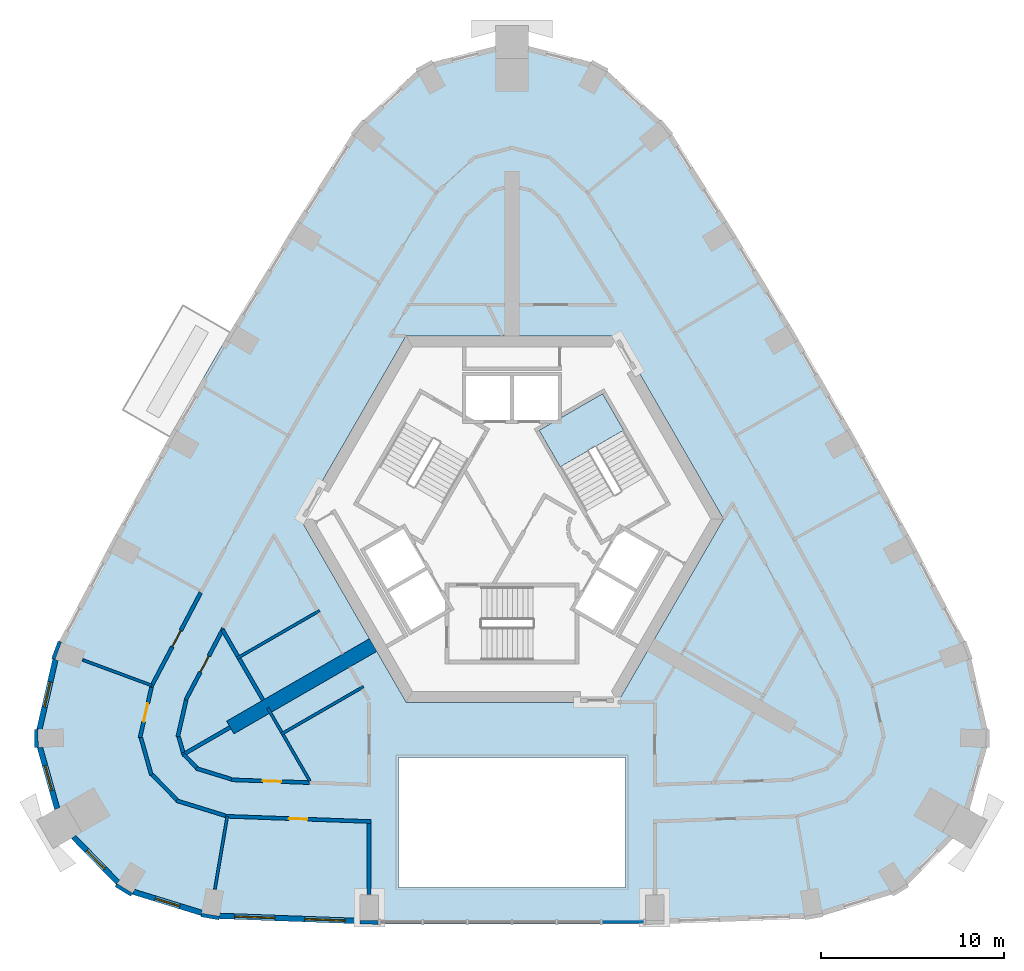
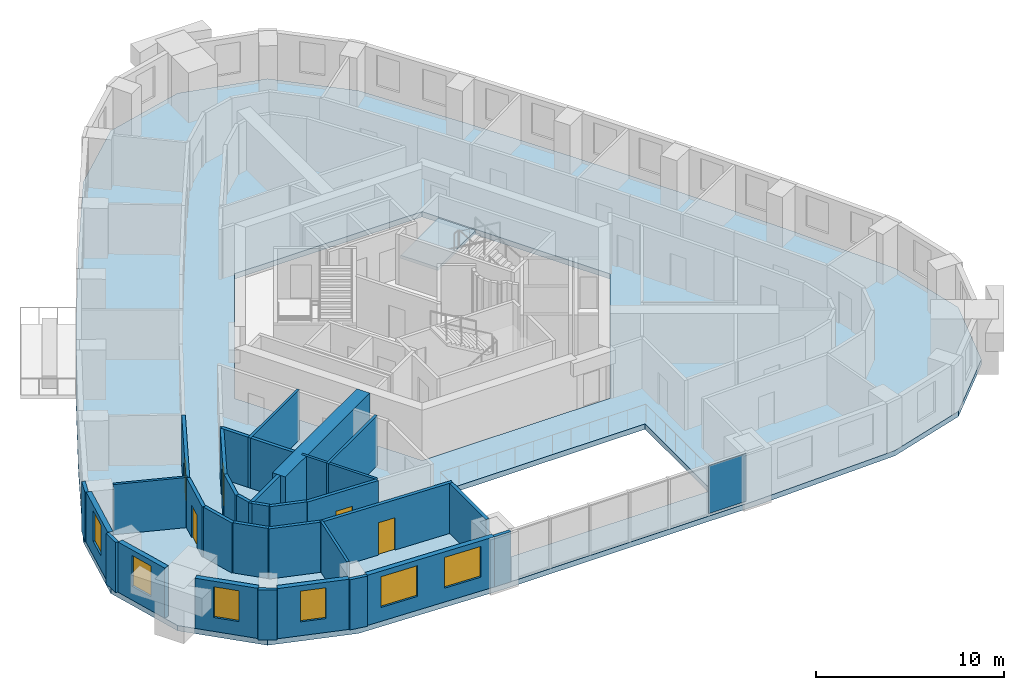
# One storey, part 3 of 11: 33 walls, 6 windows, 5 doors, 2 slabs, 1 plate, 11 openings, 2 elements without a shape of their own.
"""IFC4 building model written with IfcOpenShell, lengths in metres."""

from ifc_helpers import new_model, si_unit, direction, frame, frame_2d, origin, origin_2d, place, context, subcontext, project, spatial, polyline, rectangle, outline, extrude, material, layer, layer_set, type_object, element, fill, aggregate, save


model = new_model("IFC4")

# Units and contexts
model_context = context("Model", 3, precision=1e-05, world=origin(), true_north=direction((0.0, 1.0)))
body_context = subcontext(model_context, "Body", "Model", "MODEL_VIEW")
ifc_project = project(units=[si_unit("LENGTHUNIT", "METRE"), si_unit("AREAUNIT", "SQUARE_METRE"), si_unit("VOLUMEUNIT", "CUBIC_METRE"), si_unit("PLANEANGLEUNIT", "RADIAN"), si_unit("MASSUNIT", "GRAM", prefix="KILO")], contexts=[model_context])

# Site, building, storey
site_placement = place(None, origin())
site = spatial("IfcSite", under=ifc_project, at=site_placement, CompositionType="ELEMENT")
building_placement = place(site_placement, origin())
building = spatial("IfcBuilding", under=site, at=building_placement, Name="Entoto Arch Interchange Tower", CompositionType="ELEMENT")
storey_placement = place(building_placement, frame((0.0, 0.0, 248.60009765625)))
storey = spatial("IfcBuildingStorey", under=building, at=storey_placement, Name="L56", CompositionType="ELEMENT", Elevation=248.60009765625)

# Stair, slab
ifc_material_1 = material(Name="Concrete C40/50", Category="concrete")
stair_type = type_object("IfcStairType", Name="EXIT STAIR RC 1800", PredefinedType="HALF_TURN_STAIR", material=ifc_material_1)
stair_placement = place(storey_placement, origin())
stair = element("IfcStair", 1, at=stair_placement, inside=storey, type_object=stair_type, Name="L56 Exit stair NE", PredefinedType="HALF_TURN_STAIR")
ifc_layer_1 = layer(ifc_material_1, 0.199951171875)
ifc_layer_set_1 = layer_set([ifc_layer_1], Name="Concrete C40/50")
slab_type_1 = type_object("IfcSlabType", Name="EXIT STAIR LANDING RC 200", PredefinedType="LANDING", material=ifc_layer_set_1)
slab_1_placement = place(storey_placement, frame((0.0, 0.0, 1.599853515625)))
slab_1 = element("IfcSlab", 2, at=slab_1_placement, type_object=slab_type_1, Name="ST-NE landing 1", PredefinedType="LANDING", context=body_context, shape_type="SweptSolid", body=[
    extrude(outline(polyline([(6.093505859375, 7.345947265625), (4.943359375, 9.337890625), (1.479248046875, 7.337890625), (2.62939453125, 5.345947265625), (6.093505859375, 7.345947265625)])), origin(), (0.0, 0.0, 1.0), 0.199951171875),
])
aggregate(stair, [slab_1])

# Curtain wall, plate
ifc_material_2 = material(Name="Aluminium, anodised", Category="aluminium")
curtain_wall_type = type_object("IfcCurtainWallType", Name="CURTAIN WALL ATRIUM", PredefinedType="NOTDEFINED", material=ifc_material_2)
curtain_wall_placement = place(storey_placement, origin())
curtain_wall = element("IfcCurtainWall", 3, at=curtain_wall_placement, inside=storey, type_object=curtain_wall_type, Name="Atrium glazing S-02 L56", PredefinedType="NOTDEFINED")
ifc_material_3 = material(Name="Clear glass, low-e double glazed", Category="glass")
ifc_layer_2 = layer(ifc_material_3, 0.031982421875)
ifc_layer_set_2 = layer_set([ifc_layer_2], Name="Clear glass, low-e double glazed")
plate_type = type_object("IfcPlateType", Name="GLAZING PANEL ATRIUM 32", PredefinedType="CURTAIN_PANEL", material=ifc_layer_set_2)
plate_placement = place(storey_placement, frame((6.0576171875, -19.48291015625, 0.079833984375), z_axis=(0.0, 0.0, 1.0), x_axis=(1.0, 0.0, 0.0)))
plate = element("IfcPlate", 4, at=plate_placement, type_object=plate_type, Name="CWA panel 6.1", PredefinedType="CURTAIN_PANEL", context=body_context, shape_type="SweptSolid", body=[
    extrude(rectangle(XDim=2.282958984375, YDim=0.031982421875, at=origin_2d()), origin(), (0.0, 0.0, 1.0), 3.10009765625),
])
aggregate(curtain_wall, [plate])

# Slab
ifc_layer_3 = layer(ifc_material_1, 0.340087890625)
ifc_layer_set_3 = layer_set([ifc_layer_3], Name="Concrete C40/50")
slab_type_2 = type_object("IfcSlabType", Name="Post-tensioned flat plate 340 C40/50", PredefinedType="FLOOR", material=ifc_layer_set_3)
slab_2_placement = place(storey_placement, frame((0.0, 0.0, -0.340087890625)))
element("IfcSlab", 5, at=slab_2_placement, inside=storey, type_object=slab_type_2, Name="Floor slab L56", PredefinedType="FLOOR", context=body_context, shape_type="SweptSolid", body=[
    extrude(outline(polyline([(-16.47998046875, -19.291015625), (-7.800048828125, -19.60791015625), (7.800048828125, -19.60791015625), (16.47998046875, -19.291015625), (21.23388671875, -17.824951171875), (24.70703125, -14.264892578125), (26.053955078125, -9.47607421875), (24.946044921875, -4.626953125), (21.8779296875, 1.2109375), (18.695068359375, 6.986083984375), (15.39794921875, 12.697021484375), (11.988037109375, 18.342041015625), (8.466064453125, 23.91796875), (4.820068359375, 27.302001953125), (0.0, 28.529052734375), (-4.820068359375, 27.302001953125), (-8.466064453125, 23.91796875), (-11.988037109375, 18.342041015625), (-15.39794921875, 12.697021484375), (-18.695068359375, 6.986083984375), (-21.8779296875, 1.2109375), (-24.946044921875, -4.626953125), (-26.053955078125, -9.47607421875), (-24.70703125, -14.264892578125), (-21.23388671875, -17.824951171875), (-16.47998046875, -19.291015625)]), holes=[polyline([(6.199951171875, -17.60791015625), (6.199951171875, -10.5), (-6.199951171875, -10.5), (-6.199951171875, -17.60791015625), (6.199951171875, -17.60791015625)]), polyline([(11.547119140625, 2.5), (5.77392578125, 12.5), (-5.77392578125, 12.5), (-11.547119140625, 2.5), (-5.77392578125, -7.5), (5.77392578125, -7.5), (11.547119140625, 2.5)])]), origin(), (0.0, 0.0, 1.0), 0.340087890625),
])

# Walls
ifc_layer_4 = layer(ifc_material_1, 0.800048828125)
ifc_layer_set_4 = layer_set([ifc_layer_4], Name="Concrete C40/50")
wall_type_1 = type_object("IfcWallType", Name="Buttress wall 800 C40/50", PredefinedType="SHEAR", material=ifc_layer_set_4)
wall_1_placement = place(storey_placement, frame((-7.577880859375, -4.375, -0.340087890625), z_axis=(0.0, 0.0, 1.0), x_axis=(-0.866024315419, -0.5000018851, 0.0)))
element("IfcWall", 6, at=wall_1_placement, inside=storey, type_object=wall_type_1, Name="Buttress wall SW L56", PredefinedType="SHEAR", context=body_context, shape_type="SweptSolid", body=[
    extrude(rectangle(XDim=9.0, YDim=0.800048828125, at=frame_2d((4.5, 0.0))), origin(), (0.0, 0.0, 1.0), 3.60009765625),
])
ifc_material_4 = material(Name="Gypsum board partition on steel studs", Category="steel")
ifc_layer_5 = layer(ifc_material_4, 0.14990234375)
ifc_layer_set_5 = layer_set([ifc_layer_5], Name="Gypsum board partition on steel studs")
wall_type_2 = type_object("IfcWallType", Name="PARTITION 150", PredefinedType="PARTITIONING", material=ifc_layer_set_5)
wall_2_placement = place(storey_placement, frame((-10.506103515625, -2.5029296875, 0.0), z_axis=(0.0, 0.0, 1.0), x_axis=(-0.866044872465, -0.49996627774, 0.0)))
element("IfcWall", 7, at=wall_2_placement, inside=storey, type_object=wall_type_2, Name="wall:L56:p096", PredefinedType="PARTITIONING", context=body_context, shape_type="SweptSolid", body=[
    extrude(rectangle(XDim=5.200439453125, YDim=0.14990234375, at=frame_2d((2.60009765625, 0.0))), origin(), (0.0, 0.0, 1.0), 3.260009765625),
])
wall_3_placement = place(storey_placement, frame((-8.111083984375, -6.65087890625, 0.0), z_axis=(0.0, 0.0, 1.0), x_axis=(-0.865984471925, -0.50007088936, 0.0)))
element("IfcWall", 8, at=wall_3_placement, inside=storey, type_object=wall_type_2, Name="wall:L56:p098", PredefinedType="PARTITIONING", context=body_context, shape_type="SweptSolid", body=[
    extrude(rectangle(XDim=5.175537109375, YDim=0.14990234375, at=frame_2d((2.587890625, 0.0))), origin(), (0.0, 0.0, 1.0), 3.260009765625),
])
wall_4_placement = place(storey_placement, frame((-12.56494140625, -9.135986328125, 0.0), z_axis=(0.0, 0.0, 1.0), x_axis=(-0.500198329269, 0.865910868044, 0.0)))
element("IfcWall", 9, at=wall_4_placement, inside=storey, type_object=wall_type_2, Name="wall:L56:p100", PredefinedType="PARTITIONING", context=body_context, shape_type="SweptSolid", body=[
    extrude(rectangle(XDim=1.539306640625, YDim=0.14990234375, at=frame_2d((0.76953125, 0.0))), origin(), (0.0, 0.0, 1.0), 3.260009765625),
])
wall_5_placement = place(storey_placement, frame((-11.027099609375, -11.800048828125, 0.0), z_axis=(0.0, 0.0, 1.0), x_axis=(-0.499980071345, 0.866036909293, 0.0)))
element("IfcWall", 10, at=wall_5_placement, inside=storey, type_object=wall_type_2, Name="wall:L56:p101", PredefinedType="PARTITIONING", context=body_context, shape_type="SweptSolid", body=[
    extrude(rectangle(XDim=2.92578125, YDim=0.14990234375, at=frame_2d((1.462890625, 0.0))), origin(), (0.0, 0.0, 1.0), 3.260009765625),
])
wall_6_placement = place(storey_placement, frame((-19.64892578125, -6.5859375, 0.0), z_axis=(0.0, 0.0, 1.0), x_axis=(-0.937935790958, 0.346808956114, 0.0)))
element("IfcWall", 11, at=wall_6_placement, inside=storey, type_object=wall_type_2, Name="wall:L56:p113", PredefinedType="PARTITIONING", context=body_context, shape_type="SweptSolid", body=[
    extrude(rectangle(XDim=4.028076171875, YDim=0.14990234375, at=frame_2d((2.01416015625, 0.0))), origin(), (0.0, 0.0, 1.0), 3.260009765625),
])
wall_7_placement = place(storey_placement, frame((-15.537109375, -13.721923828125, 0.0), z_axis=(0.0, 0.0, 1.0), x_axis=(-0.167012380144, -0.985954798598, 0.0)))
element("IfcWall", 12, at=wall_7_placement, inside=storey, type_object=wall_type_2, Name="wall:L56:p114", PredefinedType="PARTITIONING", context=body_context, shape_type="SweptSolid", body=[
    extrude(rectangle(XDim=4.02880859375, YDim=0.14990234375, at=frame_2d((2.014404296875, 0.0))), origin(), (0.0, 0.0, 1.0), 3.260009765625),
])

# Wall, opening, door
ifc_layer_6 = layer(ifc_material_4, 0.199951171875)
ifc_layer_set_6 = layer_set([ifc_layer_6], Name="Gypsum board partition on steel studs")
wall_type_3 = type_object("IfcWallType", Name="PARTITION 200", PredefinedType="PARTITIONING", material=ifc_layer_set_6)
wall_8_placement = place(storey_placement, frame((-15.74609375, -3.4580078125, 0.0), z_axis=(0.0, 0.0, 1.0), x_axis=(-0.465179971699, -0.885216128372, 0.0)))
wall_8 = element("IfcWall", 13, at=wall_8_placement, inside=storey, type_object=wall_type_3, Name="wall:L56:p028", PredefinedType="PARTITIONING", context=body_context, shape_type="SweptSolid", body=[
    extrude(rectangle(XDim=4.423828125, YDim=0.199951171875, at=frame_2d((2.2119140625, 0.0))), origin(), (0.0, 0.0, 1.0), 3.260009765625),
])
opening_1_placement = place(wall_8_placement, frame((1.7119140625, 0.0, 0.0)))
opening_1 = element("IfcOpeningElement", 14, at=opening_1_placement, cuts=wall_8, Name="Opening L56-D22", PredefinedType="OPENING", context=body_context, shape_type="SweptSolid", body=[
    extrude(rectangle(XDim=1.0, YDim=2.10009765625, at=frame_2d((0.5, 1.050048828125))), frame((0.0, 0.10986328125, 0.0), z_axis=(0.0, -1.0, 0.0), x_axis=(1.0, 0.0, 0.0)), (0.0, 0.0, 1.0), 0.219970703125),
])
ifc_material_5 = material(Name="Timber door leaf in Steel S235 frame", Category="steel")
door_type = type_object("IfcDoorType", Name="DOOR DS-10 1000x2100", OperationType="SINGLE_SWING_LEFT", PredefinedType="DOOR", material=ifc_material_5)
door_1_placement = place(opening_1_placement, origin())
door_1 = element("IfcDoor", 15, at=door_1_placement, inside=storey, type_object=door_type, Name="door:L56:22", OperationType="SINGLE_SWING_LEFT", OverallHeight=2.10009765625, OverallWidth=1.0, PredefinedType="DOOR", context=body_context, shape_type="SweptSolid", body=[
    extrude(rectangle(XDim=1.0, YDim=2.10009765625, at=frame_2d((0.5, 1.050048828125))), frame((0.0, 0.02490234375, 0.0), z_axis=(0.0, -1.0, 0.0), x_axis=(1.0, 0.0, 0.0)), (0.0, 0.0, 1.0), 0.050048828125),
])
fill(opening_1, door_1)

# Walls
wall_9_placement = place(storey_placement, frame((-17.780029296875, -7.383056640625, 0.0), z_axis=(0.0, 0.0, 1.0), x_axis=(-0.222760041204, -0.974873306662, 0.0)))
element("IfcWall", 16, at=wall_9_placement, inside=storey, type_object=wall_type_3, Name="wall:L56:p029", PredefinedType="PARTITIONING", context=body_context, shape_type="SweptSolid", body=[
    extrude(rectangle(XDim=2.04736328125, YDim=0.199951171875, at=frame_2d((1.023681640625, 0.0))), origin(), (0.0, 0.0, 1.0), 3.260009765625),
])
wall_10_placement = place(storey_placement, frame((-18.18701171875, -9.3779296875, 0.0), z_axis=(0.0, 0.0, 1.0), x_axis=(0.270785141481, -0.962639811743, 0.0)))
element("IfcWall", 17, at=wall_10_placement, inside=storey, type_object=wall_type_3, Name="wall:L56:p030", PredefinedType="PARTITIONING", context=body_context, shape_type="SweptSolid", body=[
    extrude(rectangle(XDim=0.8935546875, YDim=0.199951171875, at=frame_2d((0.44677734375, 0.0))), origin(), (0.0, 0.0, 1.0), 3.260009765625),
])
wall_11_placement = place(storey_placement, frame((-17.9150390625, -10.343994140625, 0.0), z_axis=(0.0, 0.0, 1.0), x_axis=(0.698527813511, -0.715582904877, 0.0)))
element("IfcWall", 18, at=wall_11_placement, inside=storey, type_object=wall_type_3, Name="wall:L56:p031", PredefinedType="PARTITIONING", context=body_context, shape_type="SweptSolid", body=[
    extrude(rectangle(XDim=1.001953125, YDim=0.199951171875, at=frame_2d((0.5009765625, 0.0))), origin(), (0.0, 0.0, 1.0), 3.260009765625),
])
wall_12_placement = place(storey_placement, frame((-17.240966796875, -11.10302734375, 0.0), z_axis=(0.0, 0.0, 1.0), x_axis=(0.95563113363, -0.294566013716, 0.0)))
element("IfcWall", 19, at=wall_12_placement, inside=storey, type_object=wall_type_3, Name="wall:L56:p032", PredefinedType="PARTITIONING", context=body_context, shape_type="SweptSolid", body=[
    extrude(rectangle(XDim=2.036376953125, YDim=0.199951171875, at=frame_2d((1.01806640625, 0.0))), origin(), (0.0, 0.0, 1.0), 3.260009765625),
])

# Wall, opening, door
wall_13_placement = place(storey_placement, frame((-15.300048828125, -11.72900390625, 0.0), z_axis=(0.0, 0.0, 1.0), x_axis=(0.999326350165, -0.036699398722, 0.0)))
wall_13 = element("IfcWall", 20, at=wall_13_placement, inside=storey, type_object=wall_type_3, Name="wall:L56:p033", PredefinedType="PARTITIONING", context=body_context, shape_type="SweptSolid", body=[
    extrude(rectangle(XDim=4.2509765625, YDim=0.199951171875, at=frame_2d((2.12548828125, 0.0))), origin(), (0.0, 0.0, 1.0), 3.260009765625),
])
opening_2_placement = place(wall_13_placement, frame((1.699951171875, 0.0, 0.0)))
opening_2 = element("IfcOpeningElement", 21, at=opening_2_placement, cuts=wall_13, Name="Opening L56-D23", PredefinedType="OPENING", context=body_context, shape_type="SweptSolid", body=[
    extrude(rectangle(XDim=1.0, YDim=2.10009765625, at=frame_2d((0.5, 1.050048828125))), frame((0.0, 0.10986328125, 0.0), z_axis=(0.0, -1.0, 0.0), x_axis=(1.0, 0.0, 0.0)), (0.0, 0.0, 1.0), 0.219970703125),
])
door_2_placement = place(opening_2_placement, origin())
door_2 = element("IfcDoor", 22, at=door_2_placement, inside=storey, type_object=door_type, Name="door:L56:23", OperationType="SINGLE_SWING_LEFT", OverallHeight=2.10009765625, OverallWidth=1.0, PredefinedType="DOOR", context=body_context, shape_type="SweptSolid", body=[
    extrude(rectangle(XDim=1.0, YDim=2.10009765625, at=frame_2d((0.5, 1.050048828125))), frame((0.0, 0.02490234375, 0.0), z_axis=(0.0, -1.0, 0.0), x_axis=(1.0, 0.0, 0.0)), (0.0, 0.0, 1.0), 0.050048828125),
])
fill(opening_2, door_2)

wall_14_placement = place(storey_placement, frame((-19.696044921875, -6.675048828125, 0.0), z_axis=(0.0, 0.0, 1.0), x_axis=(0.465165163774, 0.88522390976, 0.0)))
wall_14 = element("IfcWall", 23, at=wall_14_placement, inside=storey, type_object=wall_type_3, Name="wall:L56:p056", PredefinedType="PARTITIONING", context=body_context, shape_type="SweptSolid", body=[
    extrude(rectangle(XDim=5.834716796875, YDim=0.199951171875, at=frame_2d((2.91748046875, 0.0))), origin(), (0.0, 0.0, 1.0), 3.260009765625),
])
opening_3_placement = place(wall_14_placement, frame((2.491943359375, 0.0, 0.0)))
opening_3 = element("IfcOpeningElement", 24, at=opening_3_placement, cuts=wall_14, Name="Opening L56-D11", PredefinedType="OPENING", context=body_context, shape_type="SweptSolid", body=[
    extrude(rectangle(XDim=1.0, YDim=2.10009765625, at=frame_2d((0.5, 1.050048828125))), frame((0.0, 0.10986328125, 0.0), z_axis=(0.0, -1.0, 0.0), x_axis=(1.0, 0.0, 0.0)), (0.0, 0.0, 1.0), 0.219970703125),
])
door_3_placement = place(opening_3_placement, origin())
door_3 = element("IfcDoor", 25, at=door_3_placement, inside=storey, type_object=door_type, Name="door:L56:11", OperationType="SINGLE_SWING_LEFT", OverallHeight=2.10009765625, OverallWidth=1.0, PredefinedType="DOOR", context=body_context, shape_type="SweptSolid", body=[
    extrude(rectangle(XDim=1.0, YDim=2.10009765625, at=frame_2d((0.5, 1.050048828125))), frame((0.0, 0.02490234375, 0.0), z_axis=(0.0, -1.0, 0.0), x_axis=(1.0, 0.0, 0.0)), (0.0, 0.0, 1.0), 0.050048828125),
])
fill(opening_3, door_3)

# Walls
wall_15_placement = place(storey_placement, frame((-15.632080078125, -13.69189453125, 0.0), z_axis=(0.0, 0.0, 1.0), x_axis=(-0.955600342663, 0.294665887239, 0.0)))
element("IfcWall", 26, at=wall_15_placement, inside=storey, type_object=wall_type_3, Name="wall:L56:p057", PredefinedType="PARTITIONING", context=body_context, shape_type="SweptSolid", body=[
    extrude(rectangle(XDim=2.8095703125, YDim=0.199951171875, at=frame_2d((1.40478515625, 0.0))), origin(), (0.0, 0.0, 1.0), 3.260009765625),
])
wall_16_placement = place(storey_placement, frame((-18.291015625, -12.822021484375, 0.0), z_axis=(0.0, 0.0, 1.0), x_axis=(-0.698477855606, 0.715631668687, 0.0)))
element("IfcWall", 27, at=wall_16_placement, inside=storey, type_object=wall_type_3, Name="wall:L56:p058", PredefinedType="PARTITIONING", context=body_context, shape_type="SweptSolid", body=[
    extrude(rectangle(XDim=1.92138671875, YDim=0.199951171875, at=frame_2d((0.960693359375, 0.0))), origin(), (0.0, 0.0, 1.0), 3.260009765625),
])
wall_17_placement = place(storey_placement, frame((-19.675048828125, -11.471923828125, 0.0), z_axis=(0.0, 0.0, 1.0), x_axis=(-0.270905475888, 0.962605954238, 0.0)))
element("IfcWall", 28, at=wall_17_placement, inside=storey, type_object=wall_type_3, Name="wall:L56:p059", PredefinedType="PARTITIONING", context=body_context, shape_type="SweptSolid", body=[
    extrude(rectangle(XDim=2.122314453125, YDim=0.199951171875, at=frame_2d((1.06103515625, 0.0))), origin(), (0.0, 0.0, 1.0), 3.260009765625),
])

# Wall, opening, door
wall_18_placement = place(storey_placement, frame((-20.299072265625, -9.429931640625, 0.0), z_axis=(0.0, 0.0, 1.0), x_axis=(0.222523624687, 0.974927298036, 0.0)))
wall_18 = element("IfcWall", 29, at=wall_18_placement, inside=storey, type_object=wall_type_3, Name="wall:L56:p060", PredefinedType="PARTITIONING", context=body_context, shape_type="SweptSolid", body=[
    extrude(rectangle(XDim=2.8173828125, YDim=0.199951171875, at=frame_2d((1.40869140625, 0.0))), origin(), (0.0, 0.0, 1.0), 3.260009765625),
])
opening_4_placement = place(wall_18_placement, frame((0.908935546875, 0.0, 0.0)))
opening_4 = element("IfcOpeningElement", 30, at=opening_4_placement, cuts=wall_18, Name="Opening L56-D12", PredefinedType="OPENING", context=body_context, shape_type="SweptSolid", body=[
    extrude(rectangle(XDim=1.0, YDim=2.10009765625, at=frame_2d((0.5, 1.050048828125))), frame((0.0, 0.10986328125, 0.0), z_axis=(0.0, -1.0, 0.0), x_axis=(1.0, 0.0, 0.0)), (0.0, 0.0, 1.0), 0.219970703125),
])
door_4_placement = place(opening_4_placement, origin())
door_4 = element("IfcDoor", 31, at=door_4_placement, inside=storey, type_object=door_type, Name="door:L56:12", OperationType="SINGLE_SWING_LEFT", OverallHeight=2.10009765625, OverallWidth=1.0, PredefinedType="DOOR", context=body_context, shape_type="SweptSolid", body=[
    extrude(rectangle(XDim=1.0, YDim=2.10009765625, at=frame_2d((0.5, 1.050048828125))), frame((0.0, 0.02490234375, 0.0), z_axis=(0.0, -1.0, 0.0), x_axis=(1.0, 0.0, 0.0)), (0.0, 0.0, 1.0), 0.050048828125),
])
fill(opening_4, door_4)

wall_19_placement = place(storey_placement, frame((-7.699951171875, -14.008056640625, 0.0), z_axis=(0.0, 0.0, 1.0), x_axis=(-0.99933282306, 0.036522715615, 0.0)))
wall_19 = element("IfcWall", 32, at=wall_19_placement, inside=storey, type_object=wall_type_3, Name="wall:L56:p061", PredefinedType="PARTITIONING", context=body_context, shape_type="SweptSolid", body=[
    extrude(rectangle(XDim=7.94140625, YDim=0.199951171875, at=frame_2d((3.970703125, 0.0))), origin(), (0.0, 0.0, 1.0), 3.260009765625),
])
opening_5_placement = place(wall_19_placement, frame((3.470947265625, 0.0, 0.0)))
opening_5 = element("IfcOpeningElement", 33, at=opening_5_placement, cuts=wall_19, Name="Opening L56-D13", PredefinedType="OPENING", context=body_context, shape_type="SweptSolid", body=[
    extrude(rectangle(XDim=1.0, YDim=2.10009765625, at=frame_2d((0.5, 1.050048828125))), frame((0.0, 0.10986328125, 0.0), z_axis=(0.0, -1.0, 0.0), x_axis=(1.0, 0.0, 0.0)), (0.0, 0.0, 1.0), 0.219970703125),
])
door_5_placement = place(opening_5_placement, origin())
door_5 = element("IfcDoor", 34, at=door_5_placement, inside=storey, type_object=door_type, Name="door:L56:13", OperationType="SINGLE_SWING_RIGHT", OverallHeight=2.10009765625, OverallWidth=1.0, PredefinedType="DOOR", context=body_context, shape_type="SweptSolid", body=[
    extrude(rectangle(XDim=1.0, YDim=2.10009765625, at=frame_2d((0.5, 1.050048828125))), frame((0.0, 0.02490234375, 0.0), z_axis=(0.0, -1.0, 0.0), x_axis=(1.0, 0.0, 0.0)), (0.0, 0.0, 1.0), 0.050048828125),
])
fill(opening_5, door_5)

# Walls
wall_20_placement = place(storey_placement, frame((-7.800048828125, -17.988037109375, 0.0), z_axis=(0.0, 0.0, 1.0), x_axis=(0.0, 1.0, 0.0)))
element("IfcWall", 35, at=wall_20_placement, inside=storey, type_object=wall_type_3, Name="wall:L56:p090", PredefinedType="PARTITIONING", context=body_context, shape_type="SweptSolid", body=[
    extrude(rectangle(XDim=3.884033203125, YDim=0.199951171875, at=frame_2d((1.94189453125, 0.0))), origin(), (0.0, 0.0, 1.0), 3.260009765625),
])
wall_21_placement = place(storey_placement, frame((-14.9599609375, -4.988037109375, 0.0), z_axis=(0.0, 0.0, 1.0), x_axis=(-0.500175017317, 0.865924333907, 0.0)))
element("IfcWall", 36, at=wall_21_placement, inside=storey, type_object=wall_type_3, Name="wall:L56:p097", PredefinedType="PARTITIONING", context=body_context, shape_type="SweptSolid", body=[
    extrude(rectangle(XDim=1.66552734375, YDim=0.199951171875, at=frame_2d((0.832763671875, 0.0))), origin(), (0.0, 0.0, 1.0), 3.260009765625),
])
wall_22_placement = place(storey_placement, frame((-13.580078125, -7.37890625, 0.0), z_axis=(0.0, 0.0, 1.0), x_axis=(-0.499870876044, 0.866099940701, 0.0)))
element("IfcWall", 37, at=wall_22_placement, inside=storey, type_object=wall_type_3, Name="wall:L56:p099", PredefinedType="PARTITIONING", context=body_context, shape_type="SweptSolid", body=[
    extrude(rectangle(XDim=2.610595703125, YDim=0.199951171875, at=frame_2d((1.30517578125, 0.0))), origin(), (0.0, 0.0, 1.0), 3.260009765625),
])
wall_23_placement = place(storey_placement, frame((-15.376953125, -8.866943359375, 0.0), z_axis=(0.0, 0.0, 1.0), x_axis=(-0.865965767548, -0.500103278768, 0.0)))
element("IfcWall", 38, at=wall_23_placement, inside=storey, type_object=wall_type_3, Name="wall:L56:p102", PredefinedType="PARTITIONING", context=body_context, shape_type="SweptSolid", body=[
    extrude(rectangle(XDim=3.033447265625, YDim=0.199951171875, at=frame_2d((1.5166015625, 0.0))), origin(), (0.0, 0.0, 1.0), 3.260009765625),
])

# Wall, openings, windows
ifc_material_6 = material(Name="Welded tuff (ignimbrite) cladding, warm buff", Category="masonry")
ifc_layer_7 = layer(ifc_material_6, 0.300048828125)
ifc_layer_set_7 = layer_set([ifc_layer_7], Name="Welded tuff (ignimbrite) cladding, warm buff")
wall_type_4 = type_object("IfcWallType", Name="STONE INFILL WALL 300", PredefinedType="STANDARD", material=ifc_layer_set_7)
wall_24_placement = place(storey_placement, frame((-15.951904296875, -19.159912109375, 0.0), z_axis=(0.0, 0.0, 1.0), x_axis=(0.999331753125, -0.036551979363, 0.0)))
wall_24 = element("IfcWall", 39, at=wall_24_placement, inside=storey, type_object=wall_type_4, Name="Facade wall S-01 L56", PredefinedType="STANDARD", context=body_context, shape_type="SweptSolid", body=[
    extrude(rectangle(XDim=7.6611328125, YDim=0.300048828125, at=frame_2d((3.83056640625, 0.0))), origin(), (0.0, 0.0, 1.0), 3.260009765625),
])
opening_6_placement = place(wall_24_placement, frame((0.81494140625, 0.0, 0.89990234375)))
opening_6 = element("IfcOpeningElement", 40, at=opening_6_placement, cuts=wall_24, Name="Opening WH-A", PredefinedType="OPENING", context=body_context, shape_type="SweptSolid", body=[
    extrude(rectangle(XDim=2.199951171875, YDim=2.0, at=frame_2d((1.10009765625, 1.0))), frame((0.0, 0.16015625, 0.0), z_axis=(0.0, -1.0, 0.0), x_axis=(1.0, 0.0, 0.0)), (0.0, 0.0, 1.0), 0.320068359375),
])
opening_7_placement = place(wall_24_placement, frame((4.64599609375, 0.0, 0.89990234375)))
opening_7 = element("IfcOpeningElement", 41, at=opening_7_placement, cuts=wall_24, Name="Opening WH-A", PredefinedType="OPENING", context=body_context, shape_type="SweptSolid", body=[
    extrude(rectangle(XDim=2.199951171875, YDim=2.0, at=frame_2d((1.10009765625, 1.0))), frame((0.0, 0.16015625, 0.0), z_axis=(0.0, -1.0, 0.0), x_axis=(1.0, 0.0, 0.0)), (0.0, 0.0, 1.0), 0.320068359375),
])
window_type_1 = type_object("IfcWindowType", Name="WINDOW WH-A 2200x2000", PartitioningType="DOUBLE_PANEL_VERTICAL", PredefinedType="WINDOW", material=ifc_material_3)
window_1_placement = place(opening_6_placement, origin())
window_1 = element("IfcWindow", 42, at=window_1_placement, inside=storey, type_object=window_type_1, Name="Window WH-A S-01 L56", OverallHeight=2.0, OverallWidth=2.199951171875, PartitioningType="SINGLE_PANEL", PredefinedType="WINDOW", context=body_context, shape_type="SweptSolid", body=[
    extrude(rectangle(XDim=2.199951171875, YDim=2.0, at=frame_2d((1.10009765625, 1.0))), frame((0.0, 0.030029296875, 0.0), z_axis=(0.0, -1.0, 0.0), x_axis=(1.0, 0.0, 0.0)), (0.0, 0.0, 1.0), 0.06005859375),
])
fill(opening_6, window_1)
window_2_placement = place(opening_7_placement, origin())
window_2 = element("IfcWindow", 43, at=window_2_placement, inside=storey, type_object=window_type_1, Name="Window WH-A S-01 L56", OverallHeight=2.0, OverallWidth=2.199951171875, PartitioningType="SINGLE_PANEL", PredefinedType="WINDOW", context=body_context, shape_type="SweptSolid", body=[
    extrude(rectangle(XDim=2.199951171875, YDim=2.0, at=frame_2d((1.10009765625, 1.0))), frame((0.0, 0.030029296875, 0.0), z_axis=(0.0, -1.0, 0.0), x_axis=(1.0, 0.0, 0.0)), (0.0, 0.0, 1.0), 0.06005859375),
])
fill(opening_7, window_2)

# Wall, opening, window
wall_25_placement = place(storey_placement, frame((-24.916015625, -5.169921875, 0.0), z_axis=(0.0, 0.0, 1.0), x_axis=(-0.222901327396, -0.974841011778, 0.0)))
wall_25 = element("IfcWall", 44, at=wall_25_placement, inside=storey, type_object=wall_type_4, Name="Facade wall SW-01 L56", PredefinedType="STANDARD", context=body_context, shape_type="SweptSolid", body=[
    extrude(rectangle(XDim=3.898193359375, YDim=0.300048828125, at=frame_2d((1.94921875, 0.0))), origin(), (0.0, 0.0, 1.0), 3.260009765625),
])
opening_8_placement = place(wall_25_placement, frame((1.2490234375, 0.0, 0.89990234375)))
opening_8 = element("IfcOpeningElement", 45, at=opening_8_placement, cuts=wall_25, Name="Opening WH-B", PredefinedType="OPENING", context=body_context, shape_type="SweptSolid", body=[
    extrude(rectangle(XDim=1.39990234375, YDim=2.0, at=frame_2d((0.699951171875, 1.0))), frame((0.0, 0.16015625, 0.0), z_axis=(0.0, -1.0, 0.0), x_axis=(1.0, 0.0, 0.0)), (0.0, 0.0, 1.0), 0.320068359375),
])
window_type_2 = type_object("IfcWindowType", Name="WINDOW WH-B 1400x2000", PartitioningType="DOUBLE_PANEL_VERTICAL", PredefinedType="WINDOW", material=ifc_material_3)
window_3_placement = place(opening_8_placement, origin())
window_3 = element("IfcWindow", 46, at=window_3_placement, inside=storey, type_object=window_type_2, Name="Window WH-B SW-01 L56", OverallHeight=2.0, OverallWidth=1.39990234375, PartitioningType="SINGLE_PANEL", PredefinedType="WINDOW", context=body_context, shape_type="SweptSolid", body=[
    extrude(rectangle(XDim=1.39990234375, YDim=2.0, at=frame_2d((0.699951171875, 1.0))), frame((0.0, 0.030029296875, 0.0), z_axis=(0.0, -1.0, 0.0), x_axis=(1.0, 0.0, 0.0)), (0.0, 0.0, 1.0), 0.06005859375),
])
fill(opening_8, window_3)

wall_26_placement = place(storey_placement, frame((-25.760009765625, -9.968017578125, 0.0), z_axis=(0.0, 0.0, 1.0), x_axis=(0.270837632743, -0.962625044703, 0.0)))
wall_26 = element("IfcWall", 47, at=wall_26_placement, inside=storey, type_object=wall_type_4, Name="Facade wall SW-02 L56", PredefinedType="STANDARD", context=body_context, shape_type="SweptSolid", body=[
    extrude(rectangle(XDim=3.4560546875, YDim=0.300048828125, at=frame_2d((1.72802734375, 0.0))), origin(), (0.0, 0.0, 1.0), 3.260009765625),
])
opening_9_placement = place(wall_26_placement, frame((1.028076171875, 0.0, 0.89990234375)))
opening_9 = element("IfcOpeningElement", 48, at=opening_9_placement, cuts=wall_26, Name="Opening WH-B", PredefinedType="OPENING", context=body_context, shape_type="SweptSolid", body=[
    extrude(rectangle(XDim=1.39990234375, YDim=2.0, at=frame_2d((0.699951171875, 1.0))), frame((0.0, 0.16015625, 0.0), z_axis=(0.0, -1.0, 0.0), x_axis=(1.0, 0.0, 0.0)), (0.0, 0.0, 1.0), 0.320068359375),
])
window_4_placement = place(opening_9_placement, origin())
window_4 = element("IfcWindow", 49, at=window_4_placement, inside=storey, type_object=window_type_2, Name="Window WH-B SW-02 L56", OverallHeight=2.0, OverallWidth=1.39990234375, PartitioningType="SINGLE_PANEL", PredefinedType="WINDOW", context=body_context, shape_type="SweptSolid", body=[
    extrude(rectangle(XDim=1.39990234375, YDim=2.0, at=frame_2d((0.699951171875, 1.0))), frame((0.0, 0.030029296875, 0.0), z_axis=(0.0, -1.0, 0.0), x_axis=(1.0, 0.0, 0.0)), (0.0, 0.0, 1.0), 0.06005859375),
])
fill(opening_9, window_4)

wall_27_placement = place(storey_placement, frame((-23.925048828125, -14.85205078125, 0.0), z_axis=(0.0, 0.0, 1.0), x_axis=(0.698394514831, -0.715713002294, 0.0)))
wall_27 = element("IfcWall", 50, at=wall_27_placement, inside=storey, type_object=wall_type_4, Name="Facade wall SW-03 L56", PredefinedType="STANDARD", context=body_context, shape_type="SweptSolid", body=[
    extrude(rectangle(XDim=3.453857421875, YDim=0.300048828125, at=frame_2d((1.72705078125, 0.0))), origin(), (0.0, 0.0, 1.0), 3.260009765625),
])
opening_10_placement = place(wall_27_placement, frame((1.027099609375, 0.0, 0.89990234375)))
opening_10 = element("IfcOpeningElement", 51, at=opening_10_placement, cuts=wall_27, Name="Opening WH-B", PredefinedType="OPENING", context=body_context, shape_type="SweptSolid", body=[
    extrude(rectangle(XDim=1.39990234375, YDim=2.0, at=frame_2d((0.699951171875, 1.0))), frame((0.0, 0.16015625, 0.0), z_axis=(0.0, -1.0, 0.0), x_axis=(1.0, 0.0, 0.0)), (0.0, 0.0, 1.0), 0.320068359375),
])
window_5_placement = place(opening_10_placement, origin())
window_5 = element("IfcWindow", 52, at=window_5_placement, inside=storey, type_object=window_type_2, Name="Window WH-B SW-03 L56", OverallHeight=2.0, OverallWidth=1.39990234375, PartitioningType="SINGLE_PANEL", PredefinedType="WINDOW", context=body_context, shape_type="SweptSolid", body=[
    extrude(rectangle(XDim=1.39990234375, YDim=2.0, at=frame_2d((0.699951171875, 1.0))), frame((0.0, 0.030029296875, 0.0), z_axis=(0.0, -1.0, 0.0), x_axis=(1.0, 0.0, 0.0)), (0.0, 0.0, 1.0), 0.06005859375),
])
fill(opening_10, window_5)

wall_28_placement = place(storey_placement, frame((-20.660888671875, -17.844970703125, 0.0), z_axis=(0.0, 0.0, 1.0), x_axis=(0.955646189569, -0.2945171648, 0.0)))
wall_28 = element("IfcWall", 53, at=wall_28_placement, inside=storey, type_object=wall_type_4, Name="Facade wall SW-04 L56", PredefinedType="STANDARD", context=body_context, shape_type="SweptSolid", body=[
    extrude(rectangle(XDim=3.897705078125, YDim=0.300048828125, at=frame_2d((1.94873046875, 0.0))), origin(), (0.0, 0.0, 1.0), 3.260009765625),
])
opening_11_placement = place(wall_28_placement, frame((1.2490234375, 0.0, 0.89990234375)))
opening_11 = element("IfcOpeningElement", 54, at=opening_11_placement, cuts=wall_28, Name="Opening WH-B", PredefinedType="OPENING", context=body_context, shape_type="SweptSolid", body=[
    extrude(rectangle(XDim=1.39990234375, YDim=2.0, at=frame_2d((0.699951171875, 1.0))), frame((0.0, 0.16015625, 0.0), z_axis=(0.0, -1.0, 0.0), x_axis=(1.0, 0.0, 0.0)), (0.0, 0.0, 1.0), 0.320068359375),
])
window_6_placement = place(opening_11_placement, origin())
window_6 = element("IfcWindow", 55, at=window_6_placement, inside=storey, type_object=window_type_2, Name="Window WH-B SW-04 L56", OverallHeight=2.0, OverallWidth=1.39990234375, PartitioningType="SINGLE_PANEL", PredefinedType="WINDOW", context=body_context, shape_type="SweptSolid", body=[
    extrude(rectangle(XDim=1.39990234375, YDim=2.0, at=frame_2d((0.699951171875, 1.0))), frame((0.0, 0.030029296875, 0.0), z_axis=(0.0, -1.0, 0.0), x_axis=(1.0, 0.0, 0.0)), (0.0, 0.0, 1.0), 0.06005859375),
])
fill(opening_11, window_6)

# Walls
ifc_layer_8 = layer(ifc_material_6, 0.199951171875)
ifc_layer_set_8 = layer_set([ifc_layer_8], Name="Welded tuff (ignimbrite) cladding, warm buff")
wall_type_5 = type_object("IfcWallType", Name="STONE PIER CLADDING 200", PredefinedType="STANDARD", material=ifc_layer_set_8)
wall_29_placement = place(storey_placement, frame((-24.678955078125, -4.193115234375, 0.0), z_axis=(0.0, 0.0, 1.0), x_axis=(-0.346892928577, -0.937904737222, 0.0)))
element("IfcWall", 56, at=wall_29_placement, inside=storey, type_object=wall_type_5, Name="Stone pier NW06 L56", PredefinedType="STANDARD", context=body_context, shape_type="SweptSolid", body=[
    extrude(rectangle(XDim=1.0, YDim=0.199951171875, at=frame_2d((0.5, 0.0))), origin(), (0.0, 0.0, 1.0), 3.260009765625),
])
for number, where, z_axis, x_axis, name in (
    (57, (-16.9560546875, -19.10888671875, 0.0), (0.0, 0.0, 1.0), (0.985961725342, -0.166971483074, 0.0), "Stone pier S01 L56"),
    (58, (-8.298095703125, -19.4990234375, 0.0), (0.0, 0.0, 1.0), (0.999836842422, -0.018063458579, 0.0), "Stone pier S02 L56"),
):
    element("IfcWall", number, at=place(storey_placement, frame(where, z_axis=z_axis, x_axis=x_axis)), inside=storey, type_object=wall_type_5, Name=name, PredefinedType="STANDARD", context=body_context, shape_type="SweptSolid", body=[
        extrude(rectangle(XDim=1.000244140625, YDim=0.199951171875, at=frame_2d((0.5, 0.0))), origin(), (0.0, 0.0, 1.0), 3.260009765625),
    ])
wall_30_placement = place(storey_placement, frame((-25.966064453125, -8.97412109375, 0.0), z_axis=(0.0, 0.0, 1.0), x_axis=(0.024192379573, -0.999707321555, 0.0)))
element("IfcWall", 59, at=wall_30_placement, inside=storey, type_object=wall_type_5, Name="Stone pier SW1 L56", PredefinedType="STANDARD", context=body_context, shape_type="SweptSolid", body=[
    extrude(rectangle(XDim=0.9990234375, YDim=0.199951171875, at=frame_2d((0.49951171875, 0.0))), origin(), (0.0, 0.0, 1.0), 3.260009765625),
])
wall_31_placement = place(storey_placement, frame((-21.60888671875, -17.47900390625, 0.0), z_axis=(0.0, 0.0, 1.0), x_axis=(0.853679739553, -0.520798331677, 0.0)))
element("IfcWall", 60, at=wall_31_placement, inside=storey, type_object=wall_type_5, Name="Stone pier SW3 L56", PredefinedType="STANDARD", context=body_context, shape_type="SweptSolid", body=[
    extrude(rectangle(XDim=1.00048828125, YDim=0.199951171875, at=frame_2d((0.500244140625, 0.0))), origin(), (0.0, 0.0, 1.0), 3.260009765625),
])

save(model, "model.ifc")
